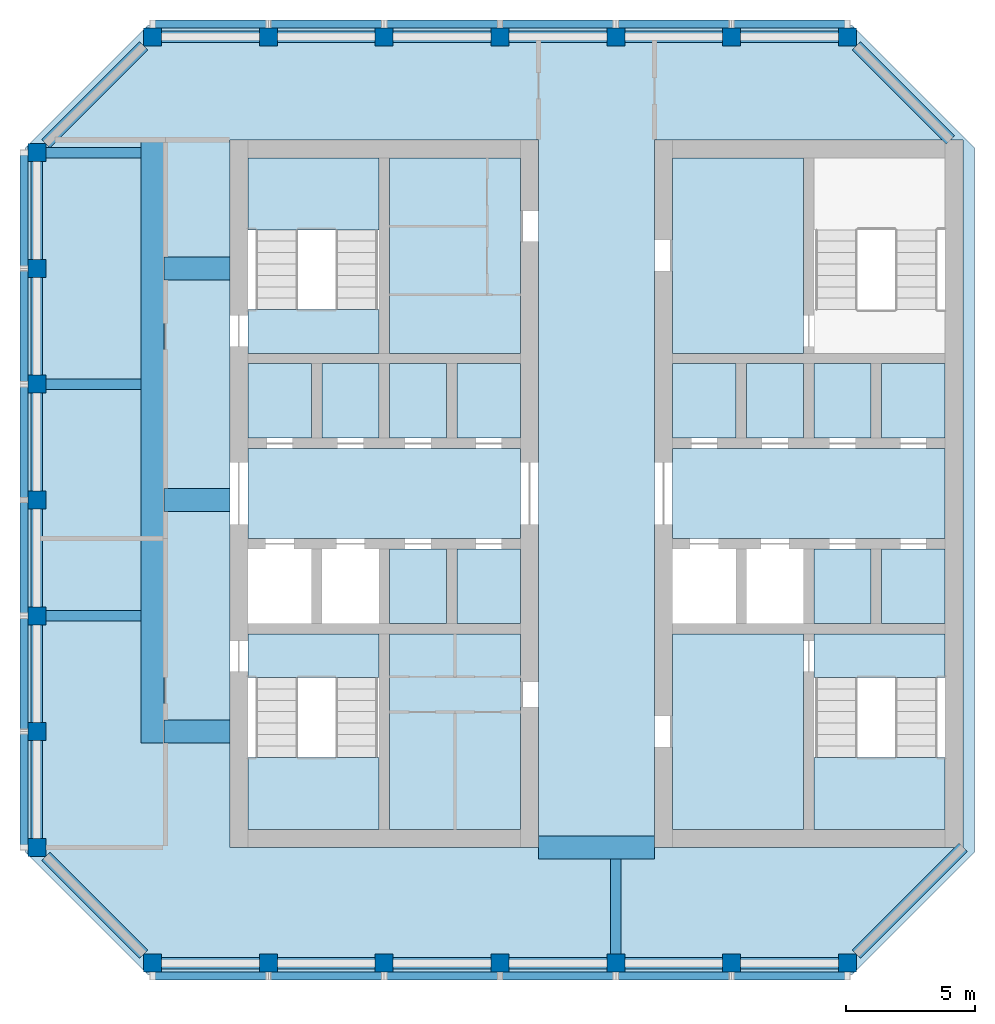
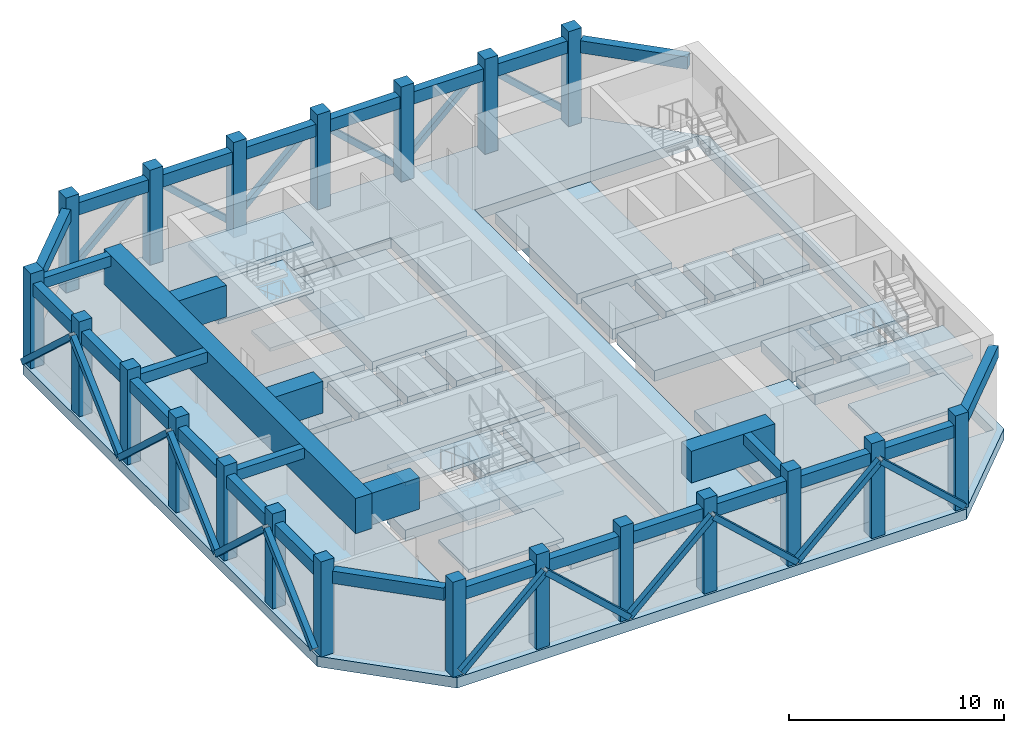
# One storey, part 1 of 7: 31 beams, 31 slabs, 21 columns, 18 members, 3 elements without a shape of their own.
"""IFC4 building model written with IfcOpenShell, lengths in metres."""

from ifc_helpers import new_model, si_unit, direction, frame, origin, origin_2d, place, context, subcontext, project, spatial, polyline, rectangle, hollow_rectangle, outline, extrude, material, layer, layer_set, material_profile, profile_set, type_object, element, aggregate, save


model = new_model("IFC4")

# Units and contexts
model_context = context("Model", 3, precision=1e-05, world=origin(), true_north=direction((0.0, 1.0)))
body_context = subcontext(model_context, "Body", "Model", "MODEL_VIEW")
ifc_project = project(units=[si_unit("LENGTHUNIT", "METRE"), si_unit("AREAUNIT", "SQUARE_METRE"), si_unit("VOLUMEUNIT", "CUBIC_METRE"), si_unit("PLANEANGLEUNIT", "RADIAN"), si_unit("MASSUNIT", "GRAM", prefix="KILO")], contexts=[model_context])

# Site, building, storey
site_placement = place(None, origin())
site = spatial("IfcSite", under=ifc_project, at=site_placement, CompositionType="ELEMENT")
building_placement = place(site_placement, origin())
building = spatial("IfcBuilding", under=site, at=building_placement, Name="Corbel Stack Research Tower", CompositionType="ELEMENT")
storey_placement = place(building_placement, frame((0.0, 0.0, 306.39990234375)))
storey = spatial("IfcBuildingStorey", under=building, at=storey_placement, Name="L69", CompositionType="ELEMENT", Elevation=306.39990234375)

# Columns
ifc_material_1 = material(Name="Concrete C60/75", Category="concrete")
ifc_material_profile_1 = material_profile(ifc_material_1, rectangle(XDim=0.699951171875, YDim=0.699951171875, at=origin_2d()), Name="RC 700 x 700")
ifc_profile_set_1 = profile_set([ifc_material_profile_1], Name="Concrete C60/75")
column_type = type_object("IfcColumnType", Name="C-700-60", PredefinedType="COLUMN", material=ifc_profile_set_1)
for number, where, z_axis, x_axis, name in (
    (1, (-18.0, -9.0, 0.0), (0.0, 0.0, 1.0), (1.0, 0.0, 0.0), "Column 4/F L69"),
    (2, (-18.0, -4.5, 0.0), (0.0, 0.0, 1.0), (1.0, 0.0, 0.0), "Column 4/G L69"),
    (3, (-18.0, 0.0, 0.0), (0.0, 0.0, 1.0), (1.0, 0.0, 0.0), "Column 4/H L69"),
    (4, (-18.0, 4.5, 0.0), (0.0, 0.0, 1.0), (1.0, 0.0, 0.0), "Column 4/J L69"),
    (5, (-18.0, 9.0, 0.0), (0.0, 0.0, 1.0), (1.0, 0.0, 0.0), "Column 4/K L69"),
    (6, (-18.0, 13.5, 0.0), (0.0, 0.0, 1.0), (1.0, 0.0, 0.0), "Column 4/L L69"),
    (7, (-18.0, 18.0, 0.0), (0.0, 0.0, 1.0), (1.0, 0.0, 0.0), "Column 4/M L69"),
    (8, (-13.5, -13.5, 0.0), (0.0, 0.0, 1.0), (1.0, 0.0, 0.0), "Column 5/E L69"),
    (9, (-13.5, 22.5, 0.0), (0.0, 0.0, 1.0), (1.0, 0.0, 0.0), "Column 5/N L69"),
    (10, (-9.0, -13.5, 0.0), (0.0, 0.0, 1.0), (1.0, 0.0, 0.0), "Column 6/E L69"),
    (11, (-9.0, 22.5, 0.0), (0.0, 0.0, 1.0), (1.0, 0.0, 0.0), "Column 6/N L69"),
    (12, (-4.5, -13.5, 0.0), (0.0, 0.0, 1.0), (1.0, 0.0, 0.0), "Column 7/E L69"),
    (13, (-4.5, 22.5, 0.0), (0.0, 0.0, 1.0), (1.0, 0.0, 0.0), "Column 7/N L69"),
    (14, (0.0, -13.5, 0.0), (0.0, 0.0, 1.0), (1.0, 0.0, 0.0), "Column 8/E L69"),
    (15, (0.0, 22.5, 0.0), (0.0, 0.0, 1.0), (1.0, 0.0, 0.0), "Column 8/N L69"),
    (16, (4.5, -13.5, 0.0), (0.0, 0.0, 1.0), (1.0, 0.0, 0.0), "Column 9/E L69"),
    (17, (4.5, 22.5, 0.0), (0.0, 0.0, 1.0), (1.0, 0.0, 0.0), "Column 9/N L69"),
    (18, (9.0, -13.5, 0.0), (0.0, 0.0, 1.0), (1.0, 0.0, 0.0), "Column 10/E L69"),
    (19, (9.0, 22.5, 0.0), (0.0, 0.0, 1.0), (1.0, 0.0, 0.0), "Column 10/N L69"),
    (20, (13.5, -13.5, 0.0), (0.0, 0.0, 1.0), (1.0, 0.0, 0.0), "Column 11/E L69"),
    (21, (13.5, 22.5, 0.0), (0.0, 0.0, 1.0), (1.0, 0.0, 0.0), "Column 11/N L69"),
):
    element("IfcColumn", number, at=place(storey_placement, frame(where, z_axis=z_axis, x_axis=x_axis)), inside=storey, type_object=column_type, Name=name, PredefinedType="COLUMN", context=body_context, shape_type="SweptSolid", body=[
        extrude(rectangle(XDim=0.699951171875, YDim=0.699951171875, at=origin_2d()), origin(), (0.0, 0.0, 1.0), 5.400146484375),
    ])

# Members
ifc_material_2 = material(Name="Steel S355", Category="steel")
ifc_material_profile_2 = material_profile(ifc_material_2, hollow_rectangle(XDim=0.304931640625, YDim=0.304931640625, WallThickness=0.014892578125, at=origin_2d()), Name="HSS12x12x5/8")
ifc_profile_set_2 = profile_set([ifc_material_profile_2], Name="Steel S355")
member_type = type_object("IfcMemberType", Name="Crown belt brace HSS12x12x5/8", PredefinedType="BRACE", material=ifc_profile_set_2)
for number, where, z_axis, x_axis, name in (
    (22, (-13.5, -14.00244140625, 0.300048828125), (0.735104589398, 0.0, 0.677953717186), (0.0, 1.0, 0.0), "Crown belt brace L69-01"),
    (23, (-4.5, -14.00244140625, 0.300048828125), (-0.735104589398, 0.0, 0.677953717186), (0.0, -1.0, 0.0), "Crown belt brace L69-02"),
    (24, (-4.5, -14.00244140625, 0.300048828125), (0.735104589398, 0.0, 0.677953717186), (0.0, 1.0, 0.0), "Crown belt brace L69-03"),
    (25, (4.5, -14.00244140625, 0.300048828125), (-0.735104589398, 0.0, 0.677953717186), (0.0, -1.0, 0.0), "Crown belt brace L69-04"),
    (26, (4.5, -14.00244140625, 0.300048828125), (0.735104589398, 0.0, 0.677953717186), (0.0, 1.0, 0.0), "Crown belt brace L69-05"),
    (27, (13.5, -14.00244140625, 0.300048828125), (-0.735104589398, 0.0, 0.677953717186), (0.0, -1.0, 0.0), "Crown belt brace L69-06"),
    (28, (13.5, 23.00244140625, 0.300048828125), (-0.735104589398, 0.0, 0.677953717186), (0.0, -1.0, 0.0), "Crown belt brace L69-07"),
    (29, (4.5, 23.00244140625, 0.300048828125), (0.735104589398, 0.0, 0.677953717186), (0.0, 1.0, 0.0), "Crown belt brace L69-08"),
    (30, (4.5, 23.00244140625, 0.300048828125), (-0.735104589398, 0.0, 0.677953717186), (0.0, -1.0, 0.0), "Crown belt brace L69-09"),
    (31, (-4.5, 23.00244140625, 0.300048828125), (0.735104589398, 0.0, 0.677953717186), (0.0, 1.0, 0.0), "Crown belt brace L69-10"),
    (32, (-4.5, 23.00244140625, 0.300048828125), (-0.735104589398, 0.0, 0.677953717186), (0.0, -1.0, 0.0), "Crown belt brace L69-11"),
    (33, (-13.5, 23.00244140625, 0.300048828125), (0.735104589398, 0.0, 0.677953717186), (0.0, 1.0, 0.0), "Crown belt brace L69-12"),
    (34, (-18.50244140625, 18.0, 0.300048828125), (0.0, -0.735104589398, 0.677953717186), (1.0, 0.0, 0.0), "Crown belt brace L69-13"),
    (35, (-18.50244140625, 9.0, 0.300048828125), (0.0, 0.735104589398, 0.677953717186), (-1.0, 0.0, 0.0), "Crown belt brace L69-14"),
    (36, (-18.50244140625, 9.0, 0.300048828125), (0.0, -0.735104589398, 0.677953717186), (1.0, 0.0, 0.0), "Crown belt brace L69-15"),
    (37, (-18.50244140625, 0.0, 0.300048828125), (0.0, 0.735104589398, 0.677953717186), (-1.0, 0.0, 0.0), "Crown belt brace L69-16"),
    (38, (-18.50244140625, 0.0, 0.300048828125), (0.0, -0.735104589398, 0.677953717186), (1.0, 0.0, 0.0), "Crown belt brace L69-17"),
    (39, (-18.50244140625, -9.0, 0.300048828125), (0.0, 0.735104589398, 0.677953717186), (-1.0, 0.0, 0.0), "Crown belt brace L69-18"),
):
    element("IfcMember", number, at=place(storey_placement, frame(where, z_axis=z_axis, x_axis=x_axis)), inside=storey, type_object=member_type, Name=name, PredefinedType="BRACE", context=body_context, shape_type="SweptSolid", body=[
        extrude(hollow_rectangle(XDim=0.304931640625, YDim=0.304931640625, WallThickness=0.014892578125, at=origin_2d()), origin(), (0.0, 0.0, 1.0), 6.12158203125),
    ])

# Beams
ifc_material_3 = material(Name="Concrete C60/75", Category="concrete")
ifc_material_profile_3 = material_profile(ifc_material_3, rectangle(XDim=0.449951171875, YDim=0.699951171875, at=origin_2d()), Name="RC 450 x 700")
ifc_profile_set_3 = profile_set([ifc_material_profile_3], Name="Concrete C60/75")
beam_type_1 = type_object("IfcBeamType", Name="SB-450-700", PredefinedType="SPANDREL", material=ifc_profile_set_3)
for number, where, z_axis, x_axis, name in (
    (40, (-13.14990234375, -13.5, 4.4501953125), (1.0, 0.0, 0.0), (0.0, 1.0, 0.0), "Spandrel beam L69-01"),
    (41, (-8.64990234375, -13.5, 4.4501953125), (1.0, 0.0, 0.0), (0.0, 1.0, 0.0), "Spandrel beam L69-02"),
    (42, (-4.14990234375, -13.5, 4.4501953125), (1.0, 0.0, 0.0), (0.0, 1.0, 0.0), "Spandrel beam L69-03"),
    (43, (0.35009765625, -13.5, 4.4501953125), (1.0, 0.0, 0.0), (0.0, 1.0, 0.0), "Spandrel beam L69-04"),
    (44, (4.85009765625, -13.5, 4.4501953125), (1.0, 0.0, 0.0), (0.0, 1.0, 0.0), "Spandrel beam L69-05"),
    (45, (9.35009765625, -13.5, 4.4501953125), (1.0, 0.0, 0.0), (0.0, 1.0, 0.0), "Spandrel beam L69-06"),
):
    element("IfcBeam", number, at=place(storey_placement, frame(where, z_axis=z_axis, x_axis=x_axis)), inside=storey, type_object=beam_type_1, Name=name, PredefinedType="SPANDREL", context=body_context, shape_type="SweptSolid", body=[
        extrude(rectangle(XDim=0.449951171875, YDim=0.699951171875, at=origin_2d()), origin(), (0.0, 0.0, 1.0), 3.7998046875),
    ])
beam_1_placement = place(storey_placement, frame((13.85009765625, -13.14990234375, 4.4501953125), z_axis=(0.707106781187, 0.707106781187, 0.0), x_axis=(-0.707106781187, 0.707106781187, 0.0)))
element("IfcBeam", 46, at=beam_1_placement, inside=storey, type_object=beam_type_1, Name="Spandrel beam L69-07", PredefinedType="SPANDREL", context=body_context, shape_type="SweptSolid", body=[
    extrude(rectangle(XDim=0.449951171875, YDim=0.699951171875, at=origin_2d()), origin(), (0.0, 0.0, 1.0), 5.868896484375),
])
beam_2_placement = place(storey_placement, frame((17.5, 18.5, 4.4501953125), z_axis=(-0.707106781187, 0.707106781187, 0.0), x_axis=(-0.707106781187, -0.707106781187, 0.0)))
element("IfcBeam", 47, at=beam_2_placement, inside=storey, type_object=beam_type_1, Name="Spandrel beam L69-08", PredefinedType="SPANDREL", context=body_context, shape_type="SweptSolid", body=[
    extrude(rectangle(XDim=0.449951171875, YDim=0.699951171875, at=origin_2d()), origin(), (0.0, 0.0, 1.0), 5.16162109375),
])
for number, where, z_axis, x_axis, name in (
    (48, (13.14990234375, 22.5, 4.4501953125), (-1.0, 0.0, 0.0), (0.0, -1.0, 0.0), "Spandrel beam L69-09"),
    (49, (8.64990234375, 22.5, 4.4501953125), (-1.0, 0.0, 0.0), (0.0, -1.0, 0.0), "Spandrel beam L69-10"),
    (50, (4.14990234375, 22.5, 4.4501953125), (-1.0, 0.0, 0.0), (0.0, -1.0, 0.0), "Spandrel beam L69-11"),
    (51, (-0.35009765625, 22.5, 4.4501953125), (-1.0, 0.0, 0.0), (0.0, -1.0, 0.0), "Spandrel beam L69-12"),
    (52, (-4.85009765625, 22.5, 4.4501953125), (-1.0, 0.0, 0.0), (0.0, -1.0, 0.0), "Spandrel beam L69-13"),
    (53, (-9.35009765625, 22.5, 4.4501953125), (-1.0, 0.0, 0.0), (0.0, -1.0, 0.0), "Spandrel beam L69-14"),
):
    element("IfcBeam", number, at=place(storey_placement, frame(where, z_axis=z_axis, x_axis=x_axis)), inside=storey, type_object=beam_type_1, Name=name, PredefinedType="SPANDREL", context=body_context, shape_type="SweptSolid", body=[
        extrude(rectangle(XDim=0.449951171875, YDim=0.699951171875, at=origin_2d()), origin(), (0.0, 0.0, 1.0), 3.7998046875),
    ])
beam_3_placement = place(storey_placement, frame((-13.85009765625, 22.14990234375, 4.4501953125), z_axis=(-0.707106781187, -0.707106781187, 0.0), x_axis=(0.707106781187, -0.707106781187, 0.0)))
element("IfcBeam", 54, at=beam_3_placement, inside=storey, type_object=beam_type_1, Name="Spandrel beam L69-15", PredefinedType="SPANDREL", context=body_context, shape_type="SweptSolid", body=[
    extrude(rectangle(XDim=0.449951171875, YDim=0.699951171875, at=origin_2d()), origin(), (0.0, 0.0, 1.0), 5.373779296875),
])
for number, where, z_axis, x_axis, name in (
    (55, (-18.0, 17.64990234375, 4.4501953125), (0.0, -1.0, 0.0), (1.0, 0.0, 0.0), "Spandrel beam L69-16"),
    (56, (-18.0, 13.14990234375, 4.4501953125), (0.0, -1.0, 0.0), (1.0, 0.0, 0.0), "Spandrel beam L69-17"),
    (57, (-18.0, 8.64990234375, 4.4501953125), (0.0, -1.0, 0.0), (1.0, 0.0, 0.0), "Spandrel beam L69-18"),
    (58, (-18.0, 4.14990234375, 4.4501953125), (0.0, -1.0, 0.0), (1.0, 0.0, 0.0), "Spandrel beam L69-19"),
    (59, (-18.0, -0.35009765625, 4.4501953125), (0.0, -1.0, 0.0), (1.0, 0.0, 0.0), "Spandrel beam L69-20"),
    (60, (-18.0, -4.85009765625, 4.4501953125), (0.0, -1.0, 0.0), (1.0, 0.0, 0.0), "Spandrel beam L69-21"),
):
    element("IfcBeam", number, at=place(storey_placement, frame(where, z_axis=z_axis, x_axis=x_axis)), inside=storey, type_object=beam_type_1, Name=name, PredefinedType="SPANDREL", context=body_context, shape_type="SweptSolid", body=[
        extrude(rectangle(XDim=0.449951171875, YDim=0.699951171875, at=origin_2d()), origin(), (0.0, 0.0, 1.0), 3.7998046875),
    ])
beam_4_placement = place(storey_placement, frame((-17.64990234375, -9.35009765625, 4.4501953125), z_axis=(0.707106781187, -0.707106781187, 0.0), x_axis=(0.707106781187, 0.707106781187, 0.0)))
element("IfcBeam", 61, at=beam_4_placement, inside=storey, type_object=beam_type_1, Name="Spandrel beam L69-22", PredefinedType="SPANDREL", context=body_context, shape_type="SweptSolid", body=[
    extrude(rectangle(XDim=0.449951171875, YDim=0.699951171875, at=origin_2d()), origin(), (0.0, 0.0, 1.0), 5.373779296875),
])
ifc_material_4 = material(Name="Concrete C60/75", Category="concrete")
ifc_material_profile_4 = material_profile(ifc_material_4, rectangle(XDim=0.39990234375, YDim=0.60009765625, at=origin_2d()), Name="RC 400 x 600")
ifc_profile_set_4 = profile_set([ifc_material_profile_4], Name="Concrete C60/75")
beam_type_2 = type_object("IfcBeamType", Name="TG-400-600", PredefinedType="BEAM", material=ifc_profile_set_4)
for number, where, z_axis, x_axis, name in (
    (62, (-13.949951171875, 0.0, 4.5), (-1.0, 0.0, 0.0), (0.0, -1.0, 0.0), "Transfer tie beam L69 t5H"),
    (63, (-13.949951171875, 9.0, 4.5), (-1.0, 0.0, 0.0), (0.0, -1.0, 0.0), "Transfer tie beam L69 t5K"),
    (64, (-13.949951171875, 18.0, 4.5), (-1.0, 0.0, 0.0), (0.0, -1.0, 0.0), "Transfer tie beam L69 t5M"),
    (65, (4.5, -9.449951171875, 4.5), (0.0, -1.0, 0.0), (1.0, 0.0, 0.0), "Transfer tie beam L69 t9F"),
):
    element("IfcBeam", number, at=place(storey_placement, frame(where, z_axis=z_axis, x_axis=x_axis)), inside=storey, type_object=beam_type_2, Name=name, PredefinedType="BEAM", context=body_context, shape_type="SweptSolid", body=[
        extrude(rectangle(XDim=0.39990234375, YDim=0.60009765625, at=origin_2d()), origin(), (0.0, 0.0, 1.0), 3.699951171875),
    ])
ifc_material_5 = material(Name="Concrete C60/75", Category="concrete")
ifc_material_profile_5 = material_profile(ifc_material_5, rectangle(XDim=0.89990234375, YDim=1.800048828125, at=origin_2d()), Name="RC 900 x 1800")
ifc_profile_set_5 = profile_set([ifc_material_profile_5], Name="Concrete C60/75")
beam_type_3 = type_object("IfcBeamType", Name="TG-900-1800", PredefinedType="BEAM", material=ifc_profile_set_5)
for number, where, z_axis, x_axis, name in (
    (66, (-13.050048828125, -4.5, 3.900146484375), (1.0, 0.0, 0.0), (0.0, 1.0, 0.0), "Transfer cross girder L69 Wx-4.5"),
    (67, (-13.050048828125, 4.5, 3.900146484375), (1.0, 0.0, 0.0), (0.0, 1.0, 0.0), "Transfer cross girder L69 Wx4.5"),
    (68, (-13.050048828125, 13.5, 3.900146484375), (1.0, 0.0, 0.0), (0.0, 1.0, 0.0), "Transfer cross girder L69 Wx13.5"),
):
    element("IfcBeam", number, at=place(storey_placement, frame(where, z_axis=z_axis, x_axis=x_axis)), inside=storey, type_object=beam_type_3, Name=name, PredefinedType="BEAM", context=body_context, shape_type="SweptSolid", body=[
        extrude(rectangle(XDim=0.89990234375, YDim=1.800048828125, at=origin_2d()), origin(), (0.0, 0.0, 1.0), 2.550048828125),
    ])
beam_5_placement = place(storey_placement, frame((1.5, -9.0, 3.900146484375), z_axis=(1.0, 0.0, 0.0), x_axis=(0.0, 1.0, 0.0)))
element("IfcBeam", 69, at=beam_5_placement, inside=storey, type_object=beam_type_3, Name="Transfer cross girder L69 Sx", PredefinedType="BEAM", context=body_context, shape_type="SweptSolid", body=[
    extrude(rectangle(XDim=0.89990234375, YDim=1.800048828125, at=origin_2d()), origin(), (0.0, 0.0, 1.0), 4.5),
])
ifc_material_6 = material(Name="Concrete C60/75", Category="concrete")
ifc_material_profile_6 = material_profile(ifc_material_6, rectangle(XDim=0.89990234375, YDim=2.0, at=origin_2d()), Name="RC 900 x 2000")
ifc_profile_set_6 = profile_set([ifc_material_profile_6], Name="Concrete C60/75")
beam_type_4 = type_object("IfcBeamType", Name="TG-900-2000", PredefinedType="BEAM", material=ifc_profile_set_6)
beam_6_placement = place(storey_placement, frame((-13.5, -4.949951171875, 3.800048828125), z_axis=(0.0, 1.0, 0.0), x_axis=(-1.0, 0.0, 0.0)))
element("IfcBeam", 70, at=beam_6_placement, inside=storey, type_object=beam_type_4, Name="Transfer girder along the step L69 Wl", PredefinedType="BEAM", context=body_context, shape_type="SweptSolid", body=[
    extrude(rectangle(XDim=0.89990234375, YDim=2.0, at=origin_2d()), origin(), (0.0, 0.0, 1.0), 23.39990234375),
])

# Slabs
ifc_material_7 = material(Name="Concrete C45/55", Category="concrete")
ifc_layer_1 = layer(ifc_material_7, 0.60009765625)
ifc_layer_set_1 = layer_set([ifc_layer_1], Name="Concrete C45/55")
slab_type_1 = type_object("IfcSlabType", Name="PT-600", PredefinedType="FLOOR", material=ifc_layer_set_1)
slab_1_placement = place(storey_placement, frame((0.0, 0.0, -0.599853515625)))
element("IfcSlab", 71, at=slab_1_placement, inside=storey, type_object=slab_type_1, Name="Floor slab L69", PredefinedType="FLOOR", context=body_context, shape_type="SweptSolid", body=[
    extrude(outline(polyline([(-13.686279296875, -13.949951171875), (13.686279296875, -13.949951171875), (18.449951171875, -9.186279296875), (18.449951171875, 18.186279296875), (13.686279296875, 22.949951171875), (-13.686279296875, 22.949951171875), (-18.449951171875, 18.186279296875), (-18.449951171875, -9.186279296875), (-13.686279296875, -13.949951171875)]), holes=[polyline([(6.0, -9.0), (6.0, 18.5), (18.0, 18.5), (18.0, -9.0), (6.0, -9.0)]), polyline([(-10.5, -9.0), (-10.5, 18.5), (1.5, 18.5), (1.5, -9.0), (-10.5, -9.0)])]), origin(), (0.0, 0.0, 1.0), 0.599853515625),
])
slab_2_placement = place(storey_placement, frame((0.0, 0.0, -0.599853515625)))
element("IfcSlab", 72, at=slab_2_placement, inside=storey, type_object=slab_type_1, Name="West core floor L69", PredefinedType="FLOOR", context=body_context, shape_type="SweptSolid", body=[
    extrude(outline(polyline([(-9.800048828125, 6.5), (-9.800048828125, 3.0), (0.800048828125, 3.0), (0.800048828125, 6.5), (-9.800048828125, 6.5)])), origin(), (0.0, 0.0, 1.0), 0.599853515625),
])
slab_3_placement = place(storey_placement, frame((0.0, 0.0, -0.599853515625)))
element("IfcSlab", 73, at=slab_3_placement, inside=storey, type_object=slab_type_1, Name="West core floor L69", PredefinedType="FLOOR", context=body_context, shape_type="SweptSolid", body=[
    extrude(outline(polyline([(-9.800048828125, 6.89990234375), (-7.324951171875, 6.89990234375), (-7.324951171875, 9.800048828125), (-9.800048828125, 9.800048828125), (-9.800048828125, 6.89990234375)])), origin(), (0.0, 0.0, 1.0), 0.599853515625),
])
slab_4_placement = place(storey_placement, frame((0.0, 0.0, -0.599853515625)))
element("IfcSlab", 74, at=slab_4_placement, inside=storey, type_object=slab_type_1, Name="West core floor L69", PredefinedType="FLOOR", context=body_context, shape_type="SweptSolid", body=[
    extrude(outline(polyline([(-6.925048828125, 6.89990234375), (-4.699951171875, 6.89990234375), (-4.699951171875, 9.800048828125), (-6.925048828125, 9.800048828125), (-6.925048828125, 6.89990234375)])), origin(), (0.0, 0.0, 1.0), 0.599853515625),
])
slab_5_placement = place(storey_placement, frame((0.0, 0.0, -0.599853515625)))
element("IfcSlab", 75, at=slab_5_placement, inside=storey, type_object=slab_type_1, Name="West core floor L69", PredefinedType="FLOOR", context=body_context, shape_type="SweptSolid", body=[
    extrude(outline(polyline([(-4.300048828125, -0.699951171875), (-4.300048828125, -8.300048828125), (0.800048828125, -8.300048828125), (0.800048828125, -0.699951171875), (-4.300048828125, -0.699951171875)])), origin(), (0.0, 0.0, 1.0), 0.599853515625),
])
slab_6_placement = place(storey_placement, frame((0.0, 0.0, -0.599853515625)))
element("IfcSlab", 76, at=slab_6_placement, inside=storey, type_object=slab_type_1, Name="West core floor L69", PredefinedType="FLOOR", context=body_context, shape_type="SweptSolid", body=[
    extrude(outline(polyline([(-4.300048828125, 2.60009765625), (-4.300048828125, -0.300048828125), (-2.074951171875, -0.300048828125), (-2.074951171875, 2.60009765625), (-4.300048828125, 2.60009765625)])), origin(), (0.0, 0.0, 1.0), 0.599853515625),
])
slab_7_placement = place(storey_placement, frame((0.0, 0.0, -0.599853515625)))
element("IfcSlab", 77, at=slab_7_placement, inside=storey, type_object=slab_type_1, Name="West core floor L69", PredefinedType="FLOOR", context=body_context, shape_type="SweptSolid", body=[
    extrude(outline(polyline([(-2.074951171875, 6.89990234375), (-2.074951171875, 9.800048828125), (-4.300048828125, 9.800048828125), (-4.300048828125, 6.89990234375), (-2.074951171875, 6.89990234375)])), origin(), (0.0, 0.0, 1.0), 0.599853515625),
])
slab_8_placement = place(storey_placement, frame((0.0, 0.0, -0.599853515625)))
element("IfcSlab", 78, at=slab_8_placement, inside=storey, type_object=slab_type_1, Name="West core floor L69", PredefinedType="FLOOR", context=body_context, shape_type="SweptSolid", body=[
    extrude(outline(polyline([(-4.300048828125, 17.800048828125), (-4.300048828125, 10.199951171875), (0.800048828125, 10.199951171875), (0.800048828125, 17.800048828125), (-4.300048828125, 17.800048828125)])), origin(), (0.0, 0.0, 1.0), 0.599853515625),
])
slab_9_placement = place(storey_placement, frame((0.0, 0.0, -0.599853515625)))
element("IfcSlab", 79, at=slab_9_placement, inside=storey, type_object=slab_type_1, Name="West core floor L69", PredefinedType="FLOOR", context=body_context, shape_type="SweptSolid", body=[
    extrude(outline(polyline([(-1.675048828125, 2.60009765625), (-1.675048828125, -0.300048828125), (0.800048828125, -0.300048828125), (0.800048828125, 2.60009765625), (-1.675048828125, 2.60009765625)])), origin(), (0.0, 0.0, 1.0), 0.599853515625),
])
slab_10_placement = place(storey_placement, frame((0.0, 0.0, -0.599853515625)))
element("IfcSlab", 80, at=slab_10_placement, inside=storey, type_object=slab_type_1, Name="West core floor L69", PredefinedType="FLOOR", context=body_context, shape_type="SweptSolid", body=[
    extrude(outline(polyline([(0.800048828125, 6.89990234375), (0.800048828125, 9.800048828125), (-1.675048828125, 9.800048828125), (-1.675048828125, 6.89990234375), (0.800048828125, 6.89990234375)])), origin(), (0.0, 0.0, 1.0), 0.599853515625),
])
slab_11_placement = place(storey_placement, frame((0.0, 0.0, -0.599853515625)))
element("IfcSlab", 81, at=slab_11_placement, inside=storey, type_object=slab_type_1, Name="East core floor L69", PredefinedType="FLOOR", context=body_context, shape_type="SweptSolid", body=[
    extrude(outline(polyline([(6.699951171875, -8.300048828125), (11.800048828125, -8.300048828125), (11.800048828125, -0.699951171875), (6.699951171875, -0.699951171875), (6.699951171875, -8.300048828125)])), origin(), (0.0, 0.0, 1.0), 0.599853515625),
])
slab_12_placement = place(storey_placement, frame((0.0, 0.0, -0.599853515625)))
element("IfcSlab", 82, at=slab_12_placement, inside=storey, type_object=slab_type_1, Name="East core floor L69", PredefinedType="FLOOR", context=body_context, shape_type="SweptSolid", body=[
    extrude(outline(polyline([(6.699951171875, 3.0), (17.300048828125, 3.0), (17.300048828125, 6.5), (6.699951171875, 6.5), (6.699951171875, 3.0)])), origin(), (0.0, 0.0, 1.0), 0.599853515625),
])
slab_13_placement = place(storey_placement, frame((0.0, 0.0, -0.599853515625)))
element("IfcSlab", 83, at=slab_13_placement, inside=storey, type_object=slab_type_1, Name="East core floor L69", PredefinedType="FLOOR", context=body_context, shape_type="SweptSolid", body=[
    extrude(outline(polyline([(6.699951171875, 6.89990234375), (9.175048828125, 6.89990234375), (9.175048828125, 9.800048828125), (6.699951171875, 9.800048828125), (6.699951171875, 6.89990234375)])), origin(), (0.0, 0.0, 1.0), 0.599853515625),
])
slab_14_placement = place(storey_placement, frame((0.0, 0.0, -0.599853515625)))
element("IfcSlab", 84, at=slab_14_placement, inside=storey, type_object=slab_type_1, Name="East core floor L69", PredefinedType="FLOOR", context=body_context, shape_type="SweptSolid", body=[
    extrude(outline(polyline([(6.699951171875, 10.199951171875), (11.800048828125, 10.199951171875), (11.800048828125, 17.800048828125), (6.699951171875, 17.800048828125), (6.699951171875, 10.199951171875)])), origin(), (0.0, 0.0, 1.0), 0.599853515625),
])
slab_15_placement = place(storey_placement, frame((0.0, 0.0, -0.599853515625)))
element("IfcSlab", 85, at=slab_15_placement, inside=storey, type_object=slab_type_1, Name="East core floor L69", PredefinedType="FLOOR", context=body_context, shape_type="SweptSolid", body=[
    extrude(outline(polyline([(9.574951171875, 6.89990234375), (11.800048828125, 6.89990234375), (11.800048828125, 9.800048828125), (9.574951171875, 9.800048828125), (9.574951171875, 6.89990234375)])), origin(), (0.0, 0.0, 1.0), 0.599853515625),
])
slab_16_placement = place(storey_placement, frame((0.0, 0.0, -0.599853515625)))
element("IfcSlab", 86, at=slab_16_placement, inside=storey, type_object=slab_type_1, Name="East core floor L69", PredefinedType="FLOOR", context=body_context, shape_type="SweptSolid", body=[
    extrude(outline(polyline([(12.199951171875, 2.60009765625), (12.199951171875, -0.300048828125), (14.425048828125, -0.300048828125), (14.425048828125, 2.60009765625), (12.199951171875, 2.60009765625)])), origin(), (0.0, 0.0, 1.0), 0.599853515625),
])
slab_17_placement = place(storey_placement, frame((0.0, 0.0, -0.599853515625)))
element("IfcSlab", 87, at=slab_17_placement, inside=storey, type_object=slab_type_1, Name="East core floor L69", PredefinedType="FLOOR", context=body_context, shape_type="SweptSolid", body=[
    extrude(outline(polyline([(14.425048828125, 6.89990234375), (14.425048828125, 9.800048828125), (12.199951171875, 9.800048828125), (12.199951171875, 6.89990234375), (14.425048828125, 6.89990234375)])), origin(), (0.0, 0.0, 1.0), 0.599853515625),
])
slab_18_placement = place(storey_placement, frame((0.0, 0.0, -0.599853515625)))
element("IfcSlab", 88, at=slab_18_placement, inside=storey, type_object=slab_type_1, Name="East core floor L69", PredefinedType="FLOOR", context=body_context, shape_type="SweptSolid", body=[
    extrude(outline(polyline([(14.824951171875, 2.60009765625), (14.824951171875, -0.300048828125), (17.300048828125, -0.300048828125), (17.300048828125, 2.60009765625), (14.824951171875, 2.60009765625)])), origin(), (0.0, 0.0, 1.0), 0.599853515625),
])
slab_19_placement = place(storey_placement, frame((0.0, 0.0, -0.599853515625)))
element("IfcSlab", 89, at=slab_19_placement, inside=storey, type_object=slab_type_1, Name="East core floor L69", PredefinedType="FLOOR", context=body_context, shape_type="SweptSolid", body=[
    extrude(outline(polyline([(17.300048828125, 6.89990234375), (17.300048828125, 9.800048828125), (14.824951171875, 9.800048828125), (14.824951171875, 6.89990234375), (17.300048828125, 6.89990234375)])), origin(), (0.0, 0.0, 1.0), 0.599853515625),
])
slab_20_placement = place(storey_placement, frame((0.0, 0.0, -0.599853515625)))
element("IfcSlab", 90, at=slab_20_placement, inside=storey, type_object=slab_type_1, Name="Stair floor landing ST-W1", PredefinedType="FLOOR", context=body_context, shape_type="SweptSolid", body=[
    extrude(outline(polyline([(-9.800048828125, -2.39990234375), (-4.699951171875, -2.39990234375), (-4.699951171875, -0.699951171875), (-9.800048828125, -0.699951171875), (-9.800048828125, -2.39990234375)])), origin(), (0.0, 0.0, 1.0), 0.599853515625),
])
slab_21_placement = place(storey_placement, frame((0.0, 0.0, -0.599853515625)))
element("IfcSlab", 91, at=slab_21_placement, inside=storey, type_object=slab_type_1, Name="Stair floor landing ST-W2", PredefinedType="FLOOR", context=body_context, shape_type="SweptSolid", body=[
    extrude(outline(polyline([(-9.800048828125, 10.199951171875), (-4.699951171875, 10.199951171875), (-4.699951171875, 11.89990234375), (-9.800048828125, 11.89990234375), (-9.800048828125, 10.199951171875)])), origin(), (0.0, 0.0, 1.0), 0.599853515625),
])
slab_22_placement = place(storey_placement, frame((0.0, 0.0, -0.599853515625)))
element("IfcSlab", 92, at=slab_22_placement, inside=storey, type_object=slab_type_1, Name="Stair floor landing ST-E1", PredefinedType="FLOOR", context=body_context, shape_type="SweptSolid", body=[
    extrude(outline(polyline([(12.199951171875, -2.39990234375), (17.300048828125, -2.39990234375), (17.300048828125, -0.699951171875), (12.199951171875, -0.699951171875), (12.199951171875, -2.39990234375)])), origin(), (0.0, 0.0, 1.0), 0.599853515625),
])

# Stair, slabs
ifc_material_8 = material(Name="Concrete C40/50", Category="concrete")
stair_type = type_object("IfcStairType", Name="Exit stair 32 risers, 443 going", PredefinedType="HALF_TURN_STAIR", material=ifc_material_8)
stair_1_placement = place(storey_placement, origin())
stair_1 = element("IfcStair", 93, at=stair_1_placement, inside=storey, type_object=stair_type, Name="L69 Exit stair ST-W1", PredefinedType="HALF_TURN_STAIR")
ifc_material_9 = material(Name="Concrete C40/50", Category="concrete")
ifc_layer_2 = layer(ifc_material_9, 0.199951171875)
ifc_layer_set_2 = layer_set([ifc_layer_2], Name="Concrete C40/50")
slab_type_2 = type_object("IfcSlabType", Name="Stair landing 200 C40/50", PredefinedType="LANDING", material=ifc_layer_set_2)
slab_23_placement = place(storey_placement, frame((0.0, 0.0, 1.150146484375)))
slab_23 = element("IfcSlab", 94, at=slab_23_placement, type_object=slab_type_2, Name="ST-W1 landing 1", PredefinedType="LANDING", context=body_context, shape_type="SweptSolid", body=[
    extrude(outline(polyline([(-9.800048828125, -8.300048828125), (-9.800048828125, -5.5009765625), (-4.699951171875, -5.5009765625), (-4.699951171875, -8.300048828125), (-9.800048828125, -8.300048828125)])), origin(), (0.0, 0.0, 1.0), 0.199951171875),
])
slab_24_placement = place(storey_placement, frame((0.0, 0.0, 2.5)))
slab_24 = element("IfcSlab", 95, at=slab_24_placement, type_object=slab_type_2, Name="ST-W1 landing 2", PredefinedType="LANDING", context=body_context, shape_type="SweptSolid", body=[
    extrude(outline(polyline([(-9.800048828125, -2.39990234375), (-9.800048828125, -0.699951171875), (-4.699951171875, -0.699951171875), (-4.699951171875, -2.39990234375), (-9.800048828125, -2.39990234375)])), origin(), (0.0, 0.0, 1.0), 0.2001953125),
])
slab_25_placement = place(storey_placement, frame((0.0, 0.0, 3.85009765625)))
slab_25 = element("IfcSlab", 96, at=slab_25_placement, type_object=slab_type_2, Name="ST-W1 landing 3", PredefinedType="LANDING", context=body_context, shape_type="SweptSolid", body=[
    extrude(outline(polyline([(-9.800048828125, -8.300048828125), (-9.800048828125, -5.5009765625), (-4.699951171875, -5.5009765625), (-4.699951171875, -8.300048828125), (-9.800048828125, -8.300048828125)])), origin(), (0.0, 0.0, 1.0), 0.199951171875),
])
aggregate(stair_1, [slab_23, slab_24, slab_25])

stair_2_placement = place(storey_placement, origin())
stair_2 = element("IfcStair", 97, at=stair_2_placement, inside=storey, type_object=stair_type, Name="L69 Exit stair ST-W2", PredefinedType="HALF_TURN_STAIR")
slab_26_placement = place(storey_placement, frame((0.0, 0.0, 1.150146484375)))
slab_26 = element("IfcSlab", 98, at=slab_26_placement, type_object=slab_type_2, Name="ST-W2 landing 1", PredefinedType="LANDING", context=body_context, shape_type="SweptSolid", body=[
    extrude(outline(polyline([(-9.800048828125, 15.0009765625), (-9.800048828125, 17.800048828125), (-4.699951171875, 17.800048828125), (-4.699951171875, 15.0009765625), (-9.800048828125, 15.0009765625)])), origin(), (0.0, 0.0, 1.0), 0.199951171875),
])
slab_27_placement = place(storey_placement, frame((0.0, 0.0, 2.5)))
slab_27 = element("IfcSlab", 99, at=slab_27_placement, type_object=slab_type_2, Name="ST-W2 landing 2", PredefinedType="LANDING", context=body_context, shape_type="SweptSolid", body=[
    extrude(outline(polyline([(-9.800048828125, 10.199951171875), (-9.800048828125, 11.89990234375), (-4.699951171875, 11.89990234375), (-4.699951171875, 10.199951171875), (-9.800048828125, 10.199951171875)])), origin(), (0.0, 0.0, 1.0), 0.2001953125),
])
slab_28_placement = place(storey_placement, frame((0.0, 0.0, 3.85009765625)))
slab_28 = element("IfcSlab", 100, at=slab_28_placement, type_object=slab_type_2, Name="ST-W2 landing 3", PredefinedType="LANDING", context=body_context, shape_type="SweptSolid", body=[
    extrude(outline(polyline([(-9.800048828125, 15.0009765625), (-9.800048828125, 17.800048828125), (-4.699951171875, 17.800048828125), (-4.699951171875, 15.0009765625), (-9.800048828125, 15.0009765625)])), origin(), (0.0, 0.0, 1.0), 0.199951171875),
])
aggregate(stair_2, [slab_26, slab_27, slab_28])

stair_3_placement = place(storey_placement, origin())
stair_3 = element("IfcStair", 101, at=stair_3_placement, inside=storey, type_object=stair_type, Name="L69 Exit stair ST-E1", PredefinedType="HALF_TURN_STAIR")
slab_29_placement = place(storey_placement, frame((0.0, 0.0, 1.150146484375)))
slab_29 = element("IfcSlab", 102, at=slab_29_placement, type_object=slab_type_2, Name="ST-E1 landing 1", PredefinedType="LANDING", context=body_context, shape_type="SweptSolid", body=[
    extrude(outline(polyline([(12.199951171875, -8.300048828125), (12.199951171875, -5.5009765625), (17.300048828125, -5.5009765625), (17.300048828125, -8.300048828125), (12.199951171875, -8.300048828125)])), origin(), (0.0, 0.0, 1.0), 0.199951171875),
])
slab_30_placement = place(storey_placement, frame((0.0, 0.0, 2.5)))
slab_30 = element("IfcSlab", 103, at=slab_30_placement, type_object=slab_type_2, Name="ST-E1 landing 2", PredefinedType="LANDING", context=body_context, shape_type="SweptSolid", body=[
    extrude(outline(polyline([(12.199951171875, -2.39990234375), (12.199951171875, -0.699951171875), (17.300048828125, -0.699951171875), (17.300048828125, -2.39990234375), (12.199951171875, -2.39990234375)])), origin(), (0.0, 0.0, 1.0), 0.2001953125),
])
slab_31_placement = place(storey_placement, frame((0.0, 0.0, 3.85009765625)))
slab_31 = element("IfcSlab", 104, at=slab_31_placement, type_object=slab_type_2, Name="ST-E1 landing 3", PredefinedType="LANDING", context=body_context, shape_type="SweptSolid", body=[
    extrude(outline(polyline([(12.199951171875, -8.300048828125), (12.199951171875, -5.5009765625), (17.300048828125, -5.5009765625), (17.300048828125, -8.300048828125), (12.199951171875, -8.300048828125)])), origin(), (0.0, 0.0, 1.0), 0.199951171875),
])
aggregate(stair_3, [slab_29, slab_30, slab_31])

save(model, "model.ifc")
